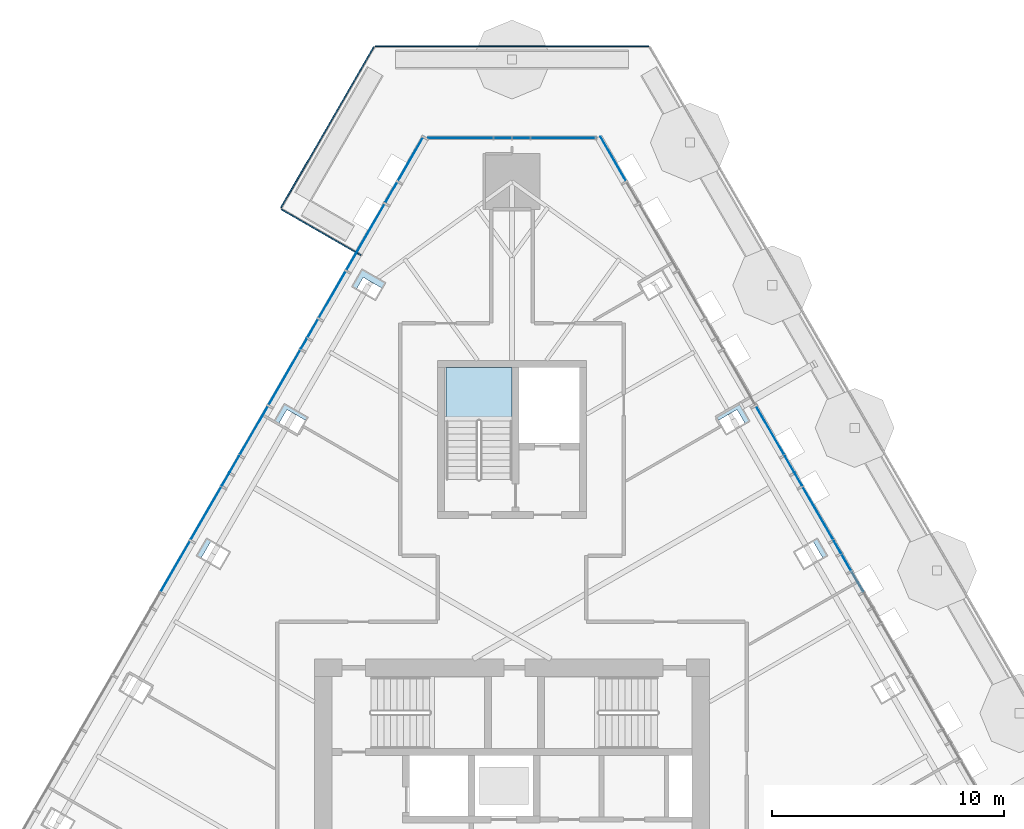
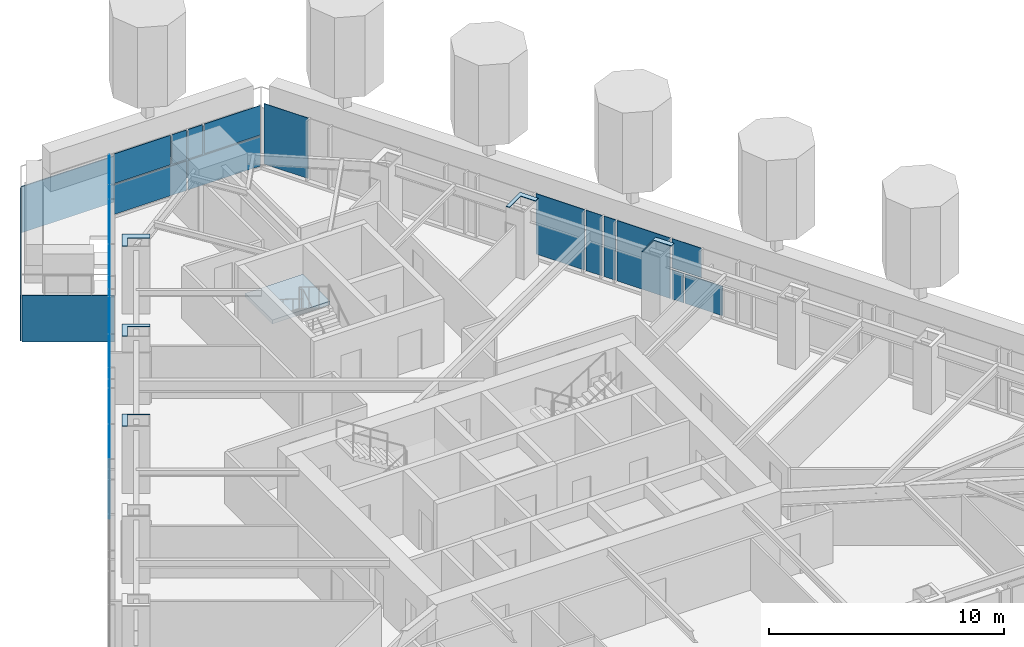
# One storey, part 14 of 24: 34 plates, 1 slab, 4 elements without a shape of their own.
"""IFC4 building model written with IfcOpenShell, lengths in metres."""

from ifc_helpers import new_model, si_unit, direction, frame, origin, place, context, subcontext, project, spatial, polyline, outline, extrude, material, layer, layer_set, type_object, element, aggregate, save


model = new_model("IFC4")

# Units and contexts
model_context = context("Model", 3, precision=1e-05, world=origin(), true_north=direction((0.0, 1.0)))
body_context = subcontext(model_context, "Body", "Model", "MODEL_VIEW")
ifc_project = project(units=[si_unit("LENGTHUNIT", "METRE"), si_unit("AREAUNIT", "SQUARE_METRE"), si_unit("VOLUMEUNIT", "CUBIC_METRE"), si_unit("PLANEANGLEUNIT", "RADIAN"), si_unit("MASSUNIT", "GRAM", prefix="KILO")], contexts=[model_context])

# Site, building, storey
site_placement = place(None, origin())
site = spatial("IfcSite", under=ifc_project, at=site_placement, CompositionType="ELEMENT")
building_placement = place(site_placement, origin())
building = spatial("IfcBuilding", under=site, at=building_placement, Name="Firuza Gate Tower and Library", CompositionType="ELEMENT")
storey_placement = place(building_placement, frame((0.0, 0.0, 267.10009765625)))
storey = spatial("IfcBuildingStorey", under=building, at=storey_placement, Name="L63", CompositionType="ELEMENT", Elevation=267.10009765625)

# Plates
ifc_material_1 = material(Name="Steel S355", Category="steel")
ifc_layer_1 = layer(ifc_material_1, 0.030029296875)
ifc_layer_set_1 = layer_set([ifc_layer_1], Name="Column infill plate 30 Steel S355")
plate_type_1 = type_object("IfcPlateType", Name="Column infill plate 30 Steel S355", PredefinedType="SHEET", material=ifc_layer_set_1)
placement_1 = place(storey_placement, frame((0.0, 0.0, 3.5)))
element("IfcPlate", 1, at=placement_1, inside=storey, type_object=plate_type_1, Name="Infill plate L63:E4", PredefinedType="SHEET", context=body_context, shape_type="SweptSolid", body=[
    extrude(outline(polyline([(87.099853515625, 86.36376953125), (87.12939453125, 86.31298828125), (87.963134765625, 86.79443359375), (88.3837890625, 86.06591796875), (88.589111328125, 86.184326171875), (88.13916015625, 86.9638671875), (87.099853515625, 86.36376953125)])), origin(), (0.0, 0.0, 1.0), 0.02978515625),
])
element("IfcPlate", 2, at=placement_1, inside=storey, type_object=plate_type_1, Name="Infill plate L63:E5", PredefinedType="SHEET", context=body_context, shape_type="SweptSolid", body=[
    extrude(outline(polyline([(83.758544921875, 92.151123046875), (83.8466796875, 91.998779296875), (84.680419921875, 92.480224609375), (85.04248046875, 91.853271484375), (85.247802734375, 91.9716796875), (84.7978515625, 92.751220703125), (83.758544921875, 92.151123046875)])), origin(), (0.0, 0.0, 1.0), 0.02978515625),
])
element("IfcPlate", 3, at=placement_1, inside=storey, type_object=plate_type_1, Name="Infill plate L63:W1", PredefinedType="SHEET", context=body_context, shape_type="SweptSolid", body=[
    extrude(outline(polyline([(68.093505859375, 97.759033203125), (68.298828125, 97.640625), (68.60205078125, 98.166015625), (69.43603515625, 97.6845703125), (69.582763671875, 97.9384765625), (68.54345703125, 98.53857421875), (68.093505859375, 97.759033203125)])), origin(), (0.0, 0.0, 1.0), 0.02978515625),
])
element("IfcPlate", 4, at=placement_1, inside=storey, type_object=plate_type_1, Name="Infill plate L63:W2", PredefinedType="SHEET", context=body_context, shape_type="SweptSolid", body=[
    extrude(outline(polyline([(64.752197265625, 91.9716796875), (64.95751953125, 91.853271484375), (65.319580078125, 92.480224609375), (66.1533203125, 91.998779296875), (66.241455078125, 92.151123046875), (65.2021484375, 92.751220703125), (64.752197265625, 91.9716796875)])), origin(), (0.0, 0.0, 1.0), 0.02978515625),
])
element("IfcPlate", 5, at=placement_1, inside=storey, type_object=plate_type_1, Name="Infill plate L63:W3", PredefinedType="SHEET", context=body_context, shape_type="SweptSolid", body=[
    extrude(outline(polyline([(61.410888671875, 86.184326171875), (61.6162109375, 86.06591796875), (62.036865234375, 86.79443359375), (62.87060546875, 86.31298828125), (62.900146484375, 86.36376953125), (61.86083984375, 86.9638671875), (61.410888671875, 86.184326171875)])), origin(), (0.0, 0.0, 1.0), 0.02978515625),
])

# Curtain wall, plates
ifc_material_2 = material(Name="Aluminium 6063-T6", Category="aluminium")
ifc_layer_2 = layer(ifc_material_2, 0.14990234375)
ifc_layer_set_2 = layer_set([ifc_layer_2], Name="Corner curtain wall, chamfers")
curtain_wall_type_1 = type_object("IfcCurtainWallType", Name="Corner curtain wall, chamfers", PredefinedType="NOTDEFINED", material=ifc_layer_set_2)
placement_2 = place(storey_placement, origin())
curtain_wall_1 = element("IfcCurtainWall", 6, at=placement_2, inside=storey, type_object=curtain_wall_type_1, Name="CW4 L63 N corner", PredefinedType="NOTDEFINED")
ifc_material_3 = material(Name="Fritted glass", Category="glass")
ifc_layer_3 = layer(ifc_material_3, 0.030029296875)
ifc_layer_set_3 = layer_set([ifc_layer_3], Name="Fritted glass unit, corners")
plate_type_2 = type_object("IfcPlateType", Name="Fritted glass unit, corners", PredefinedType="CURTAIN_PANEL", material=ifc_layer_set_3)
plate_6_placement = place(storey_placement, frame((78.603271484375, 104.176025390625, 0.14990234375), z_axis=(0.0, 1.0, 0.0), x_axis=(-1.0, 0.0, 0.0)))
plate_6 = element("IfcPlate", 7, at=plate_6_placement, type_object=plate_type_2, Name="Glass unit", PredefinedType="CURTAIN_PANEL", context=body_context, shape_type="SweptSolid", body=[
    extrude(outline(polyline([(0.0, 0.0), (3.563232421875, 0.0), (3.563232421875, 1.534912109375), (0.0, 1.534912109375), (0.0, 0.0)])), origin(), (0.0, 0.0, -1.0), 0.030029296875),
])
plate_7_placement = place(storey_placement, frame((75.754638671875, 104.176025390625, 1.764892578125), z_axis=(0.0, 1.0, 0.0), x_axis=(-1.0, 0.0, 0.0)))
plate_7 = element("IfcPlate", 8, at=plate_7_placement, type_object=plate_type_2, Name="Glass unit", PredefinedType="CURTAIN_PANEL", context=body_context, shape_type="SweptSolid", body=[
    extrude(outline(polyline([(0.0, 0.0), (0.714599609375, 0.0), (0.714599609375, 1.534912109375), (0.0, 1.534912109375), (0.0, 0.0)])), origin(), (0.0, 0.0, -1.0), 0.030029296875),
])
plate_8_placement = place(storey_placement, frame((74.9599609375, 104.176025390625, 0.14990234375), z_axis=(0.0, 1.0, 0.0), x_axis=(-1.0, 0.0, 0.0)))
plate_8 = element("IfcPlate", 9, at=plate_8_placement, type_object=plate_type_2, Name="Glass unit", PredefinedType="CURTAIN_PANEL", context=body_context, shape_type="SweptSolid", body=[
    extrude(outline(polyline([(0.0, 0.0), (3.563232421875, 0.0), (3.563232421875, 1.534912109375), (0.0, 1.534912109375), (0.0, 0.0)])), origin(), (0.0, 0.0, -1.0), 0.030029296875),
])
plate_9_placement = place(storey_placement, frame((74.9599609375, 104.176025390625, 1.764892578125), z_axis=(0.0, 1.0, 0.0), x_axis=(-1.0, 0.0, 0.0)))
plate_9 = element("IfcPlate", 10, at=plate_9_placement, type_object=plate_type_2, Name="Glass unit", PredefinedType="CURTAIN_PANEL", context=body_context, shape_type="SweptSolid", body=[
    extrude(outline(polyline([(0.0, 0.0), (0.714599609375, 0.0), (0.714599609375, 1.534912109375), (0.0, 1.534912109375), (0.0, 0.0)])), origin(), (0.0, 0.0, -1.0), 0.030029296875),
])

ifc_material_4 = material(Name="Aluminium 6063-T6", Category="aluminium")
ifc_layer_4 = layer(ifc_material_4, 0.14990234375)
ifc_layer_set_4 = layer_set([ifc_layer_4], Name="Unitised curtain wall, residences")
curtain_wall_type_2 = type_object("IfcCurtainWallType", Name="Unitised curtain wall, residences", PredefinedType="NOTDEFINED", material=ifc_layer_set_4)
curtain_wall_2 = element("IfcCurtainWall", 11, at=placement_2, inside=storey, type_object=curtain_wall_type_2, Name="CW3 L63 E face", PredefinedType="NOTDEFINED")
ifc_material_5 = material(Name="Fritted glass", Category="glass")
ifc_layer_5 = layer(ifc_material_5, 0.030029296875)
ifc_layer_set_5 = layer_set([ifc_layer_5], Name="Fritted glass unit, residences")
plate_type_3 = type_object("IfcPlateType", Name="Fritted glass unit, residences", PredefinedType="CURTAIN_PANEL", material=ifc_layer_set_5)
plate_10_placement = place(storey_placement, frame((89.156494140625, 86.321533203125, 0.14990234375), z_axis=(0.866010648346, 0.500025556299, 0.0), x_axis=(-0.500025556299, 0.866010648346, 0.0)))
plate_10 = element("IfcPlate", 12, at=plate_10_placement, type_object=plate_type_3, Name="Glass unit", PredefinedType="CURTAIN_PANEL", context=body_context, shape_type="SweptSolid", body=[
    extrude(outline(polyline([(0.0, 0.0), (0.581024989803707, 0.0), (0.581024989803707, 1.534912109375), (0.0, 1.534912109375), (0.0, 0.0)])), origin(), (0.0, 0.0, -1.0), 0.030029296875),
])
plate_11_placement = place(storey_placement, frame((87.484130859375, 89.218505859375, 0.14990234375), z_axis=(0.866046247233, 0.49996389635, 0.0), x_axis=(-0.49996389635, 0.866046247233, 0.0)))
plate_11 = element("IfcPlate", 13, at=plate_11_placement, type_object=plate_type_3, Name="Glass unit", PredefinedType="CURTAIN_PANEL", context=body_context, shape_type="SweptSolid", body=[
    extrude(outline(polyline([(0.0, 0.0), (0.5835382294703995, 0.0), (0.5835382294703995, 3.14990234375), (0.0, 3.14990234375), (0.0, 0.0)])), origin(), (0.0, 0.0, -1.0), 0.030029296875),
])
plate_12_placement = place(storey_placement, frame((87.15234375, 89.793212890625, 0.14990234375), z_axis=(0.865980580863, 0.500077627542, 0.0), x_axis=(-0.500077627542, 0.865980580863, 0.0)))
plate_12 = element("IfcPlate", 14, at=plate_12_placement, type_object=plate_type_3, Name="Glass unit", PredefinedType="CURTAIN_PANEL", context=body_context, shape_type="SweptSolid", body=[
    extrude(outline(polyline([(0.0, 0.0), (0.7933338621348802, 0.0), (0.7933338621348802, 3.14990234375), (0.0, 3.14990234375), (0.0, 0.0)])), origin(), (0.0, 0.0, -1.0), 0.030029296875),
])

curtain_wall_3 = element("IfcCurtainWall", 15, at=placement_2, inside=storey, type_object=curtain_wall_type_2, Name="CW3 L63 W face", PredefinedType="NOTDEFINED")
plate_13_placement = place(storey_placement, frame((70.04443359375, 102.25830078125, 0.14990234375), z_axis=(-0.866064057238, 0.499933044277, 0.0), x_axis=(-0.499933044277, -0.866064057238, 0.0)))
plate_13 = element("IfcPlate", 16, at=plate_13_placement, type_object=plate_type_3, Name="Glass unit", PredefinedType="CURTAIN_PANEL", context=body_context, shape_type="SweptSolid", body=[
    extrude(outline(polyline([(0.0, 0.0), (1.0035523558977801, 0.0), (1.0035523558977801, 3.14990234375), (0.0, 3.14990234375), (0.0, 0.0)])), origin(), (0.0, 0.0, -1.0), 0.030029296875),
])
plate_14_placement = place(storey_placement, frame((66.64453125, 96.369140625, 0.14990234375), z_axis=(-0.866027204995, 0.499996880198, 0.0), x_axis=(-0.499996880198, -0.866027204995, 0.0)))
plate_14 = element("IfcPlate", 17, at=plate_14_placement, type_object=plate_type_3, Name="Glass unit", PredefinedType="CURTAIN_PANEL", context=body_context, shape_type="SweptSolid", body=[
    extrude(outline(polyline([(0.0, 0.0), (0.898443105928927, 0.0), (0.898443105928927, 3.14990234375), (0.0, 3.14990234375), (0.0, 0.0)])), origin(), (0.0, 0.0, -1.0), 0.030029296875),
])
plate_15_placement = place(storey_placement, frame((66.1552734375, 95.52197265625, 0.14990234375), z_axis=(-0.866100656052, 0.499869636591, 0.0), x_axis=(-0.499869636591, -0.866100656052, 0.0)))
plate_15 = element("IfcPlate", 18, at=plate_15_placement, type_object=plate_type_3, Name="Glass unit", PredefinedType="CURTAIN_PANEL", context=body_context, shape_type="SweptSolid", body=[
    extrude(outline(polyline([(0.0, 0.0), (0.4786404193935887, 0.0), (0.4786404193935887, 3.14990234375), (0.0, 3.14990234375), (0.0, 0.0)])), origin(), (0.0, 0.0, -1.0), 0.030029296875),
])
plate_16_placement = place(storey_placement, frame((63.244384765625, 90.480224609375, 0.14990234375), z_axis=(-0.865980580863, 0.500077627542, 0.0), x_axis=(-0.500077627542, -0.865980580863, 0.0)))
plate_16 = element("IfcPlate", 19, at=plate_16_placement, type_object=plate_type_3, Name="Glass unit", PredefinedType="CURTAIN_PANEL", context=body_context, shape_type="SweptSolid", body=[
    extrude(outline(polyline([(0.0, 0.0), (0.7933338621348802, 0.0), (0.7933338621348802, 3.14990234375), (0.0, 3.14990234375), (0.0, 0.0)])), origin(), (0.0, 0.0, -1.0), 0.030029296875),
])
plate_17_placement = place(storey_placement, frame((62.8076171875, 89.723876953125, 0.14990234375), z_axis=(-0.866046247233, 0.49996389635, 0.0), x_axis=(-0.49996389635, -0.866046247233, 0.0)))
plate_17 = element("IfcPlate", 20, at=plate_17_placement, type_object=plate_type_3, Name="Glass unit", PredefinedType="CURTAIN_PANEL", context=body_context, shape_type="SweptSolid", body=[
    extrude(outline(polyline([(0.0, 0.0), (0.5835382294703995, 0.0), (0.5835382294703995, 3.14990234375), (0.0, 3.14990234375), (0.0, 0.0)])), origin(), (0.0, 0.0, -1.0), 0.030029296875),
])

# Plate
ifc_material_6 = material(Name="Glazed ceramic tile")
ifc_layer_6 = layer(ifc_material_6, 0.030029296875)
ifc_layer_set_6 = layer_set([ifc_layer_6], Name="Opaque ceramic panel, corners")
plate_type_4 = type_object("IfcPlateType", Name="Opaque ceramic panel, corners", PredefinedType="CURTAIN_PANEL", material=ifc_layer_set_6)
plate_18_placement = place(storey_placement, frame((78.603271484375, 104.176025390625, 1.764892578125), z_axis=(0.0, 1.0, 0.0), x_axis=(-1.0, 0.0, 0.0)))
plate_18 = element("IfcPlate", 21, at=plate_18_placement, type_object=plate_type_4, Name="Opaque ceramic panel", PredefinedType="CURTAIN_PANEL", context=body_context, shape_type="SweptSolid", body=[
    extrude(outline(polyline([(0.0, 0.0), (2.768798828125, 0.0), (2.768798828125, 1.534912109375), (0.0, 1.534912109375), (0.0, 0.0)])), origin(), (0.0, 0.0, -1.0), 0.030029296875),
])

plate_19_placement = place(storey_placement, frame((74.16552734375, 104.176025390625, 1.764892578125), z_axis=(0.0, 1.0, 0.0), x_axis=(-1.0, 0.0, 0.0)))
plate_19 = element("IfcPlate", 22, at=plate_19_placement, type_object=plate_type_4, Name="Opaque ceramic panel", PredefinedType="CURTAIN_PANEL", context=body_context, shape_type="SweptSolid", body=[
    extrude(outline(polyline([(0.0, 0.0), (2.768798828125, 0.0), (2.768798828125, 1.534912109375), (0.0, 1.534912109375), (0.0, 0.0)])), origin(), (0.0, 0.0, -1.0), 0.030029296875),
])

aggregate(curtain_wall_1, [plate_6, plate_18, plate_7, plate_8, plate_9, plate_19])

ifc_material_7 = material(Name="Glazed ceramic tile")
ifc_layer_7 = layer(ifc_material_7, 0.030029296875)
ifc_layer_set_7 = layer_set([ifc_layer_7], Name="Opaque ceramic panel, residences")
plate_type_5 = type_object("IfcPlateType", Name="Opaque ceramic panel, residences", PredefinedType="CURTAIN_PANEL", material=ifc_layer_set_7)
plate_20_placement = place(storey_placement, frame((90.115478515625, 84.66064453125, 0.14990234375), z_axis=(0.866044024469, 0.499967746641, 0.0), x_axis=(-0.499967746641, 0.866044024469, 0.0)))
plate_20 = element("IfcPlate", 23, at=plate_20_placement, type_object=plate_type_5, Name="Opaque ceramic panel", PredefinedType="CURTAIN_PANEL", context=body_context, shape_type="SweptSolid", body=[
    extrude(outline(polyline([(0.0, 0.0), (1.8380091889393504, 0.0), (1.8380091889393504, 1.534912109375), (0.0, 1.534912109375), (0.0, 0.0)])), origin(), (0.0, 0.0, -1.0), 0.030029296875),
])

plate_21_placement = place(storey_placement, frame((89.592529296875, 85.56640625, 1.764892578125), z_axis=(0.866000904559, 0.500042431503, 0.0), x_axis=(-0.500042431503, 0.866000904559, 0.0)))
plate_21 = element("IfcPlate", 24, at=plate_21_placement, type_object=plate_type_5, Name="Opaque ceramic panel", PredefinedType="CURTAIN_PANEL", context=body_context, shape_type="SweptSolid", body=[
    extrude(outline(polyline([(0.0, 0.0), (1.453001693908376, 0.0), (1.453001693908376, 1.534912109375), (0.0, 1.534912109375), (0.0, 0.0)])), origin(), (0.0, 0.0, -1.0), 0.030029296875),
])

plate_22_placement = place(storey_placement, frame((88.826171875, 86.89404296875, 0.14990234375), z_axis=(0.866024771944, 0.500001094379, 0.0), x_axis=(-0.500001094379, 0.866024771944, 0.0)))
plate_22 = element("IfcPlate", 25, at=plate_22_placement, type_object=plate_type_5, Name="Opaque ceramic panel", PredefinedType="CURTAIN_PANEL", context=body_context, shape_type="SweptSolid", body=[
    extrude(outline(polyline([(0.0, 0.0), (2.6039982067298277, 0.0), (2.6039982067298277, 3.14990234375), (0.0, 3.14990234375), (0.0, 0.0)])), origin(), (0.0, 0.0, -1.0), 0.030029296875),
])

plate_23_placement = place(storey_placement, frame((86.715576171875, 90.549560546875, 0.14990234375), z_axis=(0.866019154614, 0.500010823725, 0.0), x_axis=(-0.500010823725, 0.866019154614, 0.0)))
plate_23 = element("IfcPlate", 26, at=plate_23_placement, type_object=plate_type_5, Name="Opaque ceramic panel", PredefinedType="CURTAIN_PANEL", context=body_context, shape_type="SweptSolid", body=[
    extrude(outline(polyline([(0.0, 0.0), (2.393991144947097, 0.0), (2.393991144947097, 3.14990234375), (0.0, 3.14990234375), (0.0, 0.0)])), origin(), (0.0, 0.0, -1.0), 0.030029296875),
])

plate_24_placement = place(storey_placement, frame((79.91552734375, 102.327392578125, 0.14990234375), z_axis=(0.866040401994, 0.49997402144, 0.0), x_axis=(-0.49997402144, 0.866040401994, 0.0)))
plate_24 = element("IfcPlate", 27, at=plate_24_placement, type_object=plate_type_5, Name="Opaque ceramic panel", PredefinedType="CURTAIN_PANEL", context=body_context, shape_type="SweptSolid", body=[
    extrude(outline(polyline([(0.0, 0.0), (2.1841955157585415, 0.0), (2.1841955157585415, 3.14990234375), (0.0, 3.14990234375), (0.0, 0.0)])), origin(), (0.0, 0.0, -1.0), 0.030029296875),
])

aggregate(curtain_wall_2, [plate_20, plate_10, plate_21, plate_22, plate_11, plate_12, plate_23, plate_24])

plate_25_placement = place(storey_placement, frame((71.176513671875, 104.218994140625, 0.14990234375), z_axis=(-0.866040401994, 0.49997402144, 0.0), x_axis=(-0.49997402144, -0.866040401994, 0.0)))
plate_25 = element("IfcPlate", 28, at=plate_25_placement, type_object=plate_type_5, Name="Opaque ceramic panel", PredefinedType="CURTAIN_PANEL", context=body_context, shape_type="SweptSolid", body=[
    extrude(outline(polyline([(0.0, 0.0), (2.1841955157585415, 0.0), (2.1841955157585415, 3.14990234375), (0.0, 3.14990234375), (0.0, 0.0)])), origin(), (0.0, 0.0, -1.0), 0.030029296875),
])

plate_26_placement = place(storey_placement, frame((69.502685546875, 101.320068359375, 0.14990234375), z_axis=(-0.866027570447, 0.499996247212, 0.0), x_axis=(-0.499996247212, -0.866027570447, 0.0)))
plate_26 = element("IfcPlate", 29, at=plate_26_placement, type_object=plate_type_5, Name="Opaque ceramic panel", PredefinedType="CURTAIN_PANEL", context=body_context, shape_type="SweptSolid", body=[
    extrude(outline(polyline([(0.0, 0.0), (3.2676026502419653, 0.0), (3.2676026502419653, 3.14990234375), (0.0, 3.14990234375), (0.0, 0.0)])), origin(), (0.0, 0.0, -1.0), 0.030029296875),
])

plate_27_placement = place(storey_placement, frame((67.828857421875, 98.4208984375, 0.14990234375), z_axis=(-0.866029291668, 0.499993265928, 0.0), x_axis=(-0.499993265928, -0.866029291668, 0.0)))
plate_27 = element("IfcPlate", 30, at=plate_27_placement, type_object=plate_type_5, Name="Opaque ceramic panel", PredefinedType="CURTAIN_PANEL", context=body_context, shape_type="SweptSolid", body=[
    extrude(outline(polyline([(0.0, 0.0), (2.2890933298371823, 0.0), (2.2890933298371823, 3.14990234375), (0.0, 3.14990234375), (0.0, 0.0)])), origin(), (0.0, 0.0, -1.0), 0.030029296875),
])

plate_28_placement = place(storey_placement, frame((65.8759765625, 95.0380859375, 0.14990234375), z_axis=(-0.86601598821, 0.500016307898, 0.0), x_axis=(-0.500016307898, -0.86601598821, 0.0)))
plate_28 = element("IfcPlate", 31, at=plate_28_placement, type_object=plate_type_5, Name="Opaque ceramic panel", PredefinedType="CURTAIN_PANEL", context=body_context, shape_type="SweptSolid", body=[
    extrude(outline(polyline([(0.0, 0.0), (2.7088960222001783, 0.0), (2.7088960222001783, 3.14990234375), (0.0, 3.14990234375), (0.0, 0.0)])), origin(), (0.0, 0.0, -1.0), 0.030029296875),
])

plate_29_placement = place(storey_placement, frame((64.4814453125, 92.622802734375, 0.14990234375), z_axis=(-0.866019154614, 0.500010823725, 0.0), x_axis=(-0.500010823725, -0.866019154614, 0.0)))
plate_29 = element("IfcPlate", 32, at=plate_29_placement, type_object=plate_type_5, Name="Opaque ceramic panel", PredefinedType="CURTAIN_PANEL", context=body_context, shape_type="SweptSolid", body=[
    extrude(outline(polyline([(0.0, 0.0), (2.393991144947097, 0.0), (2.393991144947097, 3.14990234375), (0.0, 3.14990234375), (0.0, 0.0)])), origin(), (0.0, 0.0, -1.0), 0.030029296875),
])

plate_30_placement = place(storey_placement, frame((62.475830078125, 89.149169921875, 0.14990234375), z_axis=(-0.866024771944, 0.500001094379, 0.0), x_axis=(-0.500001094379, -0.866024771944, 0.0)))
plate_30 = element("IfcPlate", 33, at=plate_30_placement, type_object=plate_type_5, Name="Opaque ceramic panel", PredefinedType="CURTAIN_PANEL", context=body_context, shape_type="SweptSolid", body=[
    extrude(outline(polyline([(0.0, 0.0), (2.6039982067298277, 0.0), (2.6039982067298277, 3.14990234375), (0.0, 3.14990234375), (0.0, 0.0)])), origin(), (0.0, 0.0, -1.0), 0.030029296875),
])

plate_31_placement = place(storey_placement, frame((61.134033203125, 86.82470703125, 0.14990234375), z_axis=(-0.86600986831, 0.500026907266, 0.0), x_axis=(-0.500026907266, -0.86600986831, 0.0)))
plate_31 = element("IfcPlate", 34, at=plate_31_placement, type_object=plate_type_5, Name="Opaque ceramic panel", PredefinedType="CURTAIN_PANEL", context=body_context, shape_type="SweptSolid", body=[
    extrude(outline(polyline([(0.0, 0.0), (2.498888960958416, 0.0), (2.498888960958416, 3.14990234375), (0.0, 3.14990234375), (0.0, 0.0)])), origin(), (0.0, 0.0, -1.0), 0.030029296875),
])

aggregate(curtain_wall_3, [plate_25, plate_13, plate_26, plate_27, plate_14, plate_15, plate_28, plate_29, plate_16, plate_17, plate_30, plate_31])

# Stair, slab
ifc_material_8 = material(Name="Concrete C35/45", Category="concrete")
stair_type = type_object("IfcStairType", Name="Exit stair ST17", PredefinedType="HALF_TURN_STAIR", material=ifc_material_8)
stair = element("IfcStair", 35, at=placement_2, inside=storey, type_object=stair_type, Name="L63 Stair ST3", PredefinedType="HALF_TURN_STAIR")
ifc_material_9 = material(Name="Concrete C35/45", Category="concrete")
ifc_layer_8 = layer(ifc_material_9, 0.199951171875)
ifc_layer_set_8 = layer_set([ifc_layer_8], Name="Stair landing 200")
slab_type = type_object("IfcSlabType", Name="Stair landing 200", PredefinedType="LANDING", material=ifc_layer_set_8)
slab_placement = place(storey_placement, frame((0.0, 0.0, 1.5498046875)))
slab = element("IfcSlab", 36, at=slab_placement, type_object=slab_type, Name="ST3 landing 1", PredefinedType="LANDING", context=body_context, shape_type="SweptSolid", body=[
    extrude(outline(polyline([(75.0, 91.989990234375), (75.0, 94.300048828125), (72.159912109375, 94.300048828125), (72.159912109375, 91.989990234375), (75.0, 91.989990234375)])), origin(), (0.0, 0.0, 1.0), 0.2001953125),
])
aggregate(stair, [slab])

# Plates
ifc_material_10 = material(Name="Aluminium 6063-T6", Category="aluminium")
ifc_layer_9 = layer(ifc_material_10, 0.050048828125)
ifc_layer_set_9 = layer_set([ifc_layer_9], Name="Tray fascia panel 50")
plate_type_6 = type_object("IfcPlateType", Name="Tray fascia panel 50", PredefinedType="SHEET", material=ifc_layer_set_9)
plate_32_placement = place(storey_placement, frame((80.87890625, 108.135986328125, -2.400146484375), z_axis=(0.0, 1.0, 0.0), x_axis=(-1.0, 0.0, 0.0)))
element("IfcPlate", 37, at=plate_32_placement, inside=storey, type_object=plate_type_6, Name="Tray fascia L63 4", PredefinedType="SHEET", context=body_context, shape_type="SweptSolid", body=[
    extrude(outline(polyline([(0.0, 0.0), (11.7578125, 0.0), (11.7578125, 2.400146484375), (0.0, 2.400146484375), (0.0, 0.0)])), origin(), (0.0, 0.0, -1.0), 0.050048828125),
])
plate_33_placement = place(storey_placement, frame((69.031982421875, 108.0849609375, -2.400146484375), z_axis=(-0.866017920287, 0.500012961574, 0.0), x_axis=(-0.500012961574, -0.866017920287, 0.0)))
element("IfcPlate", 38, at=plate_33_placement, inside=storey, type_object=plate_type_6, Name="Tray fascia L63 5", PredefinedType="SHEET", context=body_context, shape_type="SweptSolid", body=[
    extrude(outline(polyline([(0.0, 0.0), (7.9778205335341195, 0.0), (7.9778205335341195, 2.400146484375), (0.0, 2.400146484375), (0.0, 0.0)])), origin(), (0.0, 0.0, -1.0), 0.050048828125),
])
plate_34_placement = place(storey_placement, frame((65.072998046875, 101.06689453125, -2.400146484375), z_axis=(-0.49999779889, -0.866026674592, 0.0), x_axis=(0.866026674592, -0.49999779889, 0.0)))
element("IfcPlate", 39, at=plate_34_placement, inside=storey, type_object=plate_type_6, Name="Tray fascia L63 6", PredefinedType="SHEET", context=body_context, shape_type="SweptSolid", body=[
    extrude(outline(polyline([(0.0, 0.0), (3.9399587508162695, 0.0), (3.9399587508162695, 2.400146484375), (0.0, 2.400146484375), (0.0, 0.0)])), origin(), (0.0, 0.0, -1.0), 0.050048828125),
])

save(model, "model.ifc")
